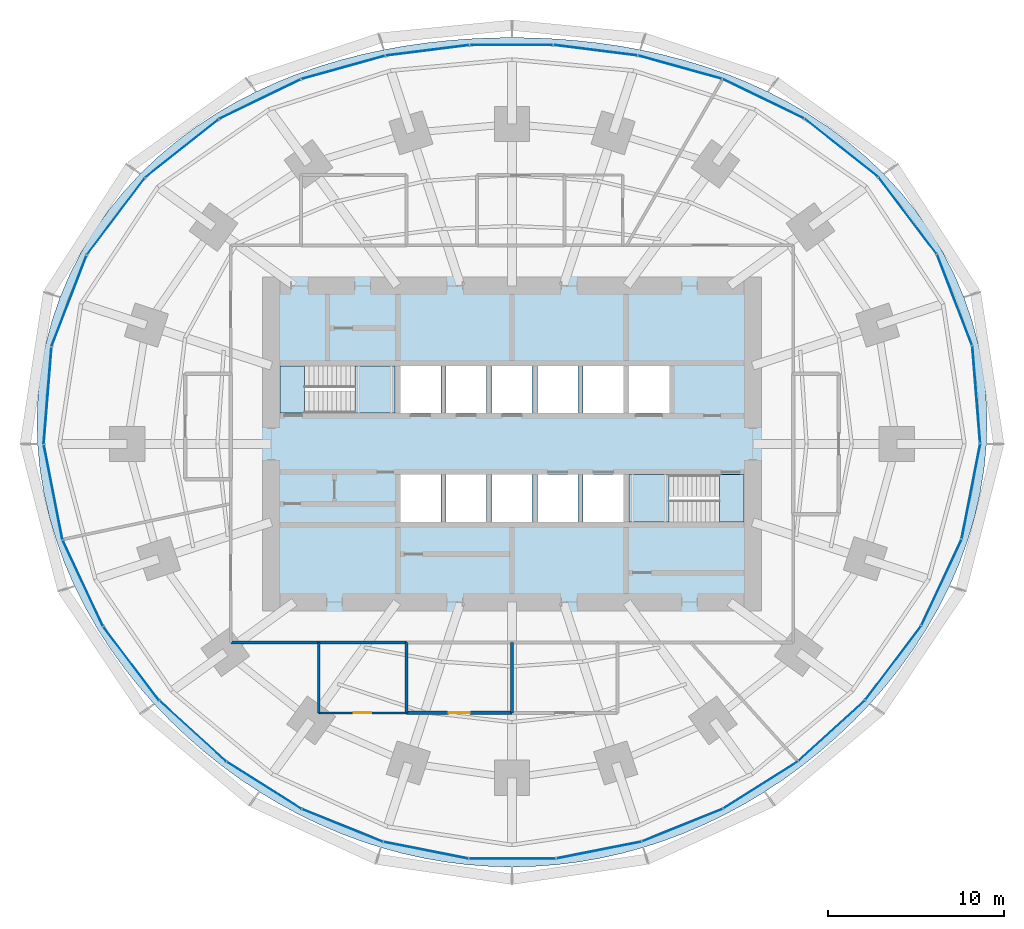
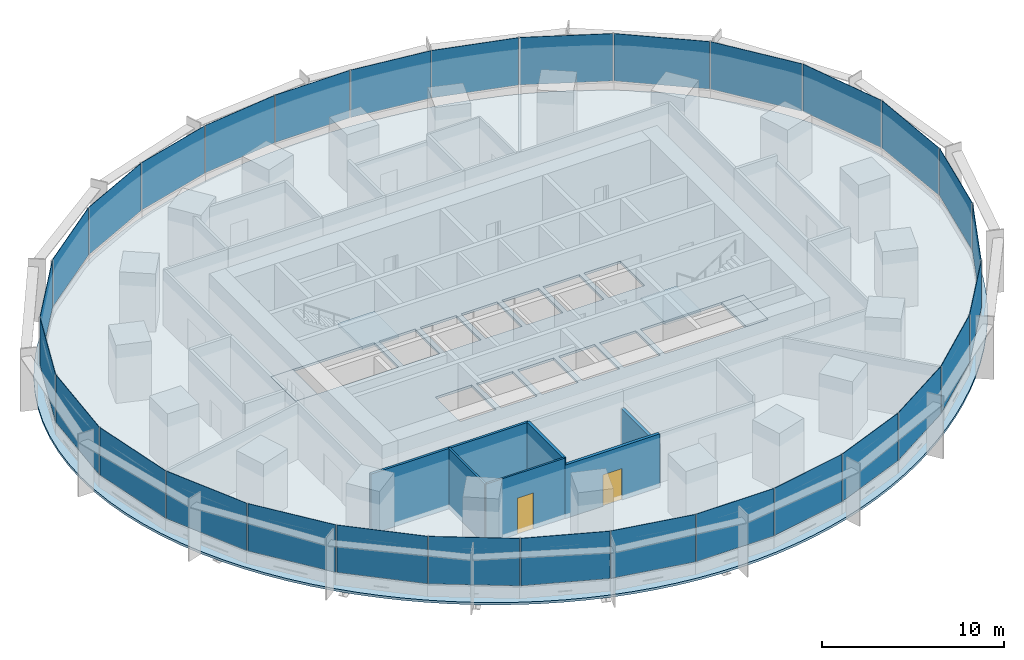
# One storey, part 10 of 15: 30 plates, 6 walls, 5 slabs, 2 doors, 2 openings, 8 elements without a shape of their own.
"""IFC4 building model written with IfcOpenShell, lengths in metres."""

from ifc_helpers import new_model, si_unit, direction, frame, frame_2d, origin, origin_2d, place, context, subcontext, project, spatial, polyline, rectangle, outline, extrude, material, layer, layer_set, type_object, element, fill, aggregate, save


model = new_model("IFC4")

# Units and contexts
model_context = context("Model", 3, precision=1e-05, world=origin(), true_north=direction((0.0, 1.0)))
body_context = subcontext(model_context, "Body", "Model", "MODEL_VIEW")
ifc_project = project(units=[si_unit("LENGTHUNIT", "METRE"), si_unit("AREAUNIT", "SQUARE_METRE"), si_unit("VOLUMEUNIT", "CUBIC_METRE"), si_unit("PLANEANGLEUNIT", "RADIAN"), si_unit("MASSUNIT", "GRAM", prefix="KILO")], contexts=[model_context])

# Site, building, storey
site_placement = place(None, origin())
site = spatial("IfcSite", under=ifc_project, at=site_placement, CompositionType="ELEMENT")
building_placement = place(site_placement, origin())
building = spatial("IfcBuilding", under=site, at=building_placement, Name="Marramba Exchange Tower", CompositionType="ELEMENT")
storey_placement = place(building_placement, frame((0.0, 0.0, 53.199951171875)))
storey = spatial("IfcBuildingStorey", under=building, at=storey_placement, Name="L12", CompositionType="ELEMENT", Elevation=53.199951171875)

# Slab
ifc_material_1 = material(Name="Concrete N40", Category="concrete")
ifc_layer_1 = layer(ifc_material_1, 0.159912109375)
ifc_layer_set_1 = layer_set([ifc_layer_1], Name="Composite floor slab 160")
slab_type_1 = type_object("IfcSlabType", Name="Composite floor slab 160", PredefinedType="FLOOR", material=ifc_layer_set_1)
slab_1_placement = place(storey_placement, frame((0.0, 0.0, -0.159912109375)))
element("IfcSlab", 1, at=slab_1_placement, inside=storey, type_object=slab_type_1, Name="Floor slab L12", PredefinedType="FLOOR", context=body_context, shape_type="SweptSolid", body=[
    extrude(outline(polyline([(27.0, 0.0), (27.035888671875, 1.4169921875), (26.97265625, 2.8349609375), (26.80859375, 4.24609375), (26.5439453125, 5.64208984375), (26.179443359375, 7.0146484375), (25.717529296875, 8.356201171875), (25.16162109375, 9.65869140625), (24.516357421875, 10.915283203125), (23.786865234375, 12.1201171875), (22.9794921875, 13.267333984375), (22.10107421875, 14.3525390625), (21.158447265625, 15.37255859375), (20.159423828125, 16.32470703125), (19.11083984375, 17.20751953125), (18.020263671875, 18.020263671875), (16.89453125, 18.763427734375), (15.740478515625, 19.437744140625), (14.563720703125, 20.04541015625), (13.3701171875, 20.588134765625), (12.164306640625, 21.069091796875), (10.9501953125, 21.4912109375), (9.7314453125, 21.857421875), (8.5107421875, 22.1708984375), (7.289794921875, 22.435302734375), (6.06982421875, 22.6533203125), (4.85205078125, 22.827392578125), (3.636474609375, 22.96044921875), (2.423095703125, 23.053955078125), (1.211181640625, 23.109619140625), (0.0, 23.1279296875), (-1.211181640625, 23.109619140625), (-2.423095703125, 23.053955078125), (-3.636474609375, 22.96044921875), (-4.85205078125, 22.827392578125), (-6.06982421875, 22.6533203125), (-7.289794921875, 22.435302734375), (-8.5107421875, 22.1708984375), (-9.7314453125, 21.857421875), (-10.9501953125, 21.4912109375), (-12.164306640625, 21.069091796875), (-13.3701171875, 20.588134765625), (-14.563720703125, 20.04541015625), (-15.740478515625, 19.437744140625), (-16.89453125, 18.763427734375), (-18.020263671875, 18.020263671875), (-19.11083984375, 17.20751953125), (-20.159423828125, 16.32470703125), (-21.158447265625, 15.37255859375), (-22.10107421875, 14.3525390625), (-22.9794921875, 13.267333984375), (-23.786865234375, 12.1201171875), (-24.516357421875, 10.915283203125), (-25.16162109375, 9.65869140625), (-25.717529296875, 8.356201171875), (-26.179443359375, 7.0146484375), (-26.5439453125, 5.64208984375), (-26.80859375, 4.24609375), (-26.97265625, 2.8349609375), (-27.035888671875, 1.4169921875), (-27.0, 0.0), (-26.8671875, -1.407958984375), (-26.64111328125, -2.800048828125), (-26.326171875, -4.169677734375), (-25.927001953125, -5.510986328125), (-25.44921875, -6.819091796875), (-24.8984375, -8.090087890625), (-24.280517578125, -9.320556640625), (-23.60107421875, -10.5078125), (-22.865234375, -11.650390625), (-22.078369140625, -12.7470703125), (-21.244873046875, -13.796630859375), (-20.36865234375, -14.798583984375), (-19.453369140625, -15.753173828125), (-18.502197265625, -16.659423828125), (-17.517578125, -17.517578125), (-16.501953125, -18.327392578125), (-15.457275390625, -19.088134765625), (-14.385009765625, -19.799072265625), (-13.286865234375, -20.459716796875), (-12.164306640625, -21.069091796875), (-11.01904296875, -21.6259765625), (-9.8525390625, -22.129150390625), (-8.66650390625, -22.577392578125), (-7.463134765625, -22.968994140625), (-6.244140625, -23.30322265625), (-5.01171875, -23.578369140625), (-3.7685546875, -23.793701171875), (-2.51708984375, -23.947998046875), (-1.260009765625, -24.041015625), (0.0, -24.072021484375), (1.260009765625, -24.041015625), (2.51708984375, -23.947998046875), (3.7685546875, -23.793701171875), (5.01171875, -23.578369140625), (6.244140625, -23.30322265625), (7.463134765625, -22.968994140625), (8.66650390625, -22.577392578125), (9.8525390625, -22.129150390625), (11.01904296875, -21.6259765625), (12.164306640625, -21.069091796875), (13.286865234375, -20.459716796875), (14.385009765625, -19.799072265625), (15.457275390625, -19.088134765625), (16.501953125, -18.327392578125), (17.517578125, -17.517578125), (18.502197265625, -16.659423828125), (19.453369140625, -15.753173828125), (20.36865234375, -14.798583984375), (21.244873046875, -13.796630859375), (22.078369140625, -12.7470703125), (22.865234375, -11.650390625), (23.60107421875, -10.5078125), (24.280517578125, -9.320556640625), (24.8984375, -8.090087890625), (25.44921875, -6.819091796875), (25.927001953125, -5.510986328125), (26.326171875, -4.169677734375), (26.64111328125, -2.800048828125), (26.8671875, -1.407958984375), (27.0, 0.0)]), holes=[polyline([(-6.35009765625, 1.75), (-4.050048828125, 1.75), (-4.050048828125, 4.449951171875), (-6.35009765625, 4.449951171875), (-6.35009765625, 1.75)]), polyline([(-3.75, 1.75), (-1.449951171875, 1.75), (-1.449951171875, 4.449951171875), (-3.75, 4.449951171875), (-3.75, 1.75)]), polyline([(-1.14990234375, 1.75), (1.14990234375, 1.75), (1.14990234375, 4.449951171875), (-1.14990234375, 4.449951171875), (-1.14990234375, 1.75)]), polyline([(1.449951171875, 1.75), (3.75, 1.75), (3.75, 4.449951171875), (1.449951171875, 4.449951171875), (1.449951171875, 1.75)]), polyline([(4.050048828125, 1.75), (6.35009765625, 1.75), (6.35009765625, 4.449951171875), (4.050048828125, 4.449951171875), (4.050048828125, 1.75)]), polyline([(-6.35009765625, -4.449951171875), (-4.050048828125, -4.449951171875), (-4.050048828125, -1.75), (-6.35009765625, -1.75), (-6.35009765625, -4.449951171875)]), polyline([(-3.75, -4.449951171875), (-1.449951171875, -4.449951171875), (-1.449951171875, -1.75), (-3.75, -1.75), (-3.75, -4.449951171875)]), polyline([(-1.14990234375, -4.449951171875), (1.14990234375, -4.449951171875), (1.14990234375, -1.75), (-1.14990234375, -1.75), (-1.14990234375, -4.449951171875)]), polyline([(1.449951171875, -4.449951171875), (3.75, -4.449951171875), (3.75, -1.75), (1.449951171875, -1.75), (1.449951171875, -4.449951171875)]), polyline([(4.050048828125, -4.449951171875), (6.35009765625, -4.449951171875), (6.35009765625, -1.75), (4.050048828125, -1.75), (4.050048828125, -4.449951171875)]), polyline([(6.64990234375, 1.75), (8.949951171875, 1.75), (8.949951171875, 4.449951171875), (6.64990234375, 4.449951171875), (6.64990234375, 1.75)]), polyline([(-13.199951171875, 1.75), (-6.64990234375, 1.75), (-6.64990234375, 4.449951171875), (-13.199951171875, 4.449951171875), (-13.199951171875, 1.75)]), polyline([(6.64990234375, -4.449951171875), (13.199951171875, -4.449951171875), (13.199951171875, -1.75), (6.64990234375, -1.75), (6.64990234375, -4.449951171875)])]), origin(), (0.0, 0.0, 1.0), 0.159912109375),
])

# Stair, slabs
ifc_material_2 = material(Name="Concrete N40 (40 MPa)", Category="concrete")
stair_type_1 = type_object("IfcStairType", Name="Exit stair ST1 4200 x 1250", PredefinedType="HALF_TURN_STAIR", material=ifc_material_2)
stair_1_placement = place(storey_placement, origin())
stair_1 = element("IfcStair", 2, at=stair_1_placement, inside=storey, type_object=stair_type_1, Name="Exit stair ST1 L12", PredefinedType="HALF_TURN_STAIR")
ifc_layer_2 = layer(ifc_material_2, 0.199951171875)
ifc_layer_set_2 = layer_set([ifc_layer_2], Name="Stair landing 200")
slab_type_2 = type_object("IfcSlabType", Name="Stair landing 200", PredefinedType="LANDING", material=ifc_layer_set_2)
slab_2_placement = place(storey_placement, frame((0.0, 0.0, -0.199951171875)))
slab_2 = element("IfcSlab", 3, at=slab_2_placement, type_object=slab_type_2, Name="ST1 landing 1", PredefinedType="LANDING", context=body_context, shape_type="SweptSolid", body=[
    extrude(outline(polyline([(-13.199951171875, 1.75), (-11.800048828125, 1.75), (-11.800048828125, 4.449951171875), (-13.199951171875, 4.449951171875), (-13.199951171875, 1.75)])), origin(), (0.0, 0.0, 1.0), 0.199951171875),
])
slab_3_placement = place(storey_placement, frame((0.0, 0.0, 1.900146484375)))
slab_3 = element("IfcSlab", 4, at=slab_3_placement, type_object=slab_type_2, Name="ST1 landing 2", PredefinedType="LANDING", context=body_context, shape_type="SweptSolid", body=[
    extrude(outline(polyline([(-8.93994140625, 1.75), (-6.64990234375, 1.75), (-6.64990234375, 4.449951171875), (-8.93994140625, 4.449951171875), (-8.93994140625, 1.75)])), origin(), (0.0, 0.0, 1.0), 0.199951171875),
])
aggregate(stair_1, [slab_2, slab_3])

stair_type_2 = type_object("IfcStairType", Name="Exit stair ST2 4200 x 1250", PredefinedType="HALF_TURN_STAIR", material=ifc_material_2)
stair_2_placement = place(storey_placement, origin())
stair_2 = element("IfcStair", 5, at=stair_2_placement, inside=storey, type_object=stair_type_2, Name="Exit stair ST2 L12", PredefinedType="HALF_TURN_STAIR")
slab_4_placement = place(storey_placement, frame((0.0, 0.0, -0.199951171875)))
slab_4 = element("IfcSlab", 6, at=slab_4_placement, type_object=slab_type_2, Name="ST2 landing 1", PredefinedType="LANDING", context=body_context, shape_type="SweptSolid", body=[
    extrude(outline(polyline([(11.800048828125, -4.449951171875), (13.199951171875, -4.449951171875), (13.199951171875, -1.75), (11.800048828125, -1.75), (11.800048828125, -4.449951171875)])), origin(), (0.0, 0.0, 1.0), 0.199951171875),
])
slab_5_placement = place(storey_placement, frame((0.0, 0.0, 1.900146484375)))
slab_5 = element("IfcSlab", 7, at=slab_5_placement, type_object=slab_type_2, Name="ST2 landing 2", PredefinedType="LANDING", context=body_context, shape_type="SweptSolid", body=[
    extrude(outline(polyline([(6.64990234375, -4.449951171875), (8.93994140625, -4.449951171875), (8.93994140625, -1.75), (6.64990234375, -1.75), (6.64990234375, -4.449951171875)])), origin(), (0.0, 0.0, 1.0), 0.199951171875),
])
aggregate(stair_2, [slab_4, slab_5])

# Curtain wall, plates
ifc_material_3 = material(Name="Aluminium framing, bronze anodised", Category="aluminium")
curtain_wall_type = type_object("IfcCurtainWallType", Name="Trading floor ribbon curtain wall", PredefinedType="USERDEFINED", material=ifc_material_3)
curtain_wall_1_placement = place(storey_placement, origin())
curtain_wall_1 = element("IfcCurtainWall", 8, at=curtain_wall_1_placement, inside=storey, type_object=curtain_wall_type, Name="Curtain wall CW3 L12 F01-F05", ObjectType="RIBBON CURTAIN WALL", PredefinedType="USERDEFINED")
ifc_material_4 = material(Name="Double glazed unit 10 + 12 + 8.76, bronze tinted", Category="glass")
ifc_layer_3 = layer(ifc_material_4, 0.03076171875)
ifc_layer_set_3 = layer_set([ifc_layer_3], Name="Trading floor ribbon curtain wall panel")
plate_type = type_object("IfcPlateType", Name="Trading floor ribbon curtain wall panel", PredefinedType="CURTAIN_PANEL", material=ifc_layer_set_3)
plate_1_placement = place(storey_placement, frame((26.42333984375, 2.814453125, 0.85986328125), z_axis=(0.0, 0.0, 1.0), x_axis=(-0.080275225953, 0.996772736434, 0.0)))
plate_1 = element("IfcPlate", 9, at=plate_1_placement, type_object=plate_type, Name="CW3 vision panel", PredefinedType="CURTAIN_PANEL", context=body_context, shape_type="SweptSolid", body=[
    extrude(rectangle(XDim=5.52734375, YDim=0.03076171875, at=origin_2d()), origin(), (0.0, 0.0, 1.0), 3.179931640625),
])
plate_2_placement = place(storey_placement, frame((25.188232421875, 8.19921875, 0.85986328125), z_axis=(0.0, 0.0, 1.0), x_axis=(-0.359525510698, 0.933135256626, 0.0)))
plate_2 = element("IfcPlate", 10, at=plate_2_placement, type_object=plate_type, Name="CW3 vision panel", PredefinedType="CURTAIN_PANEL", context=body_context, shape_type="SweptSolid", body=[
    extrude(rectangle(XDim=5.5166015625, YDim=0.03076171875, at=origin_2d()), origin(), (0.0, 0.0, 1.0), 3.179931640625),
])
plate_3_placement = place(storey_placement, frame((22.517822265625, 12.993896484375, 0.85986328125), z_axis=(0.0, 0.0, 1.0), x_axis=(-0.602989765036, 0.797748922445, 0.0)))
plate_3 = element("IfcPlate", 11, at=plate_3_placement, type_object=plate_type, Name="CW3 vision panel", PredefinedType="CURTAIN_PANEL", context=body_context, shape_type="SweptSolid", body=[
    extrude(rectangle(XDim=5.44775390625, YDim=0.03076171875, at=origin_2d()), origin(), (0.0, 0.0, 1.0), 3.179931640625),
])
plate_4_placement = place(storey_placement, frame((18.744384765625, 16.853759765625, 0.85986328125), z_axis=(0.0, 0.0, 1.0), x_axis=(-0.784087949432, 0.620649730166, 0.0)))
plate_4 = element("IfcPlate", 12, at=plate_4_placement, type_object=plate_type, Name="CW3 vision panel", PredefinedType="CURTAIN_PANEL", context=body_context, shape_type="SweptSolid", body=[
    extrude(rectangle(XDim=5.315673828125, YDim=0.03076171875, at=origin_2d()), origin(), (0.0, 0.0, 1.0), 3.179931640625),
])
plate_5_placement = place(storey_placement, frame((14.2978515625, 19.647705078125, 0.85986328125), z_axis=(0.0, 0.0, 1.0), x_axis=(-0.899963433508, 0.43596538664, 0.0)))
plate_5 = element("IfcPlate", 13, at=plate_5_placement, type_object=plate_type, Name="CW3 vision panel", PredefinedType="CURTAIN_PANEL", context=body_context, shape_type="SweptSolid", body=[
    extrude(rectangle(XDim=5.13037109375, YDim=0.03076171875, at=origin_2d()), origin(), (0.0, 0.0, 1.0), 3.179931640625),
])
aggregate(curtain_wall_1, [plate_1, plate_2, plate_3, plate_4, plate_5])

curtain_wall_2_placement = place(storey_placement, origin())
curtain_wall_2 = element("IfcCurtainWall", 14, at=curtain_wall_2_placement, inside=storey, type_object=curtain_wall_type, Name="Curtain wall CW3 L12 F06-F10", ObjectType="RIBBON CURTAIN WALL", PredefinedType="USERDEFINED")
plate_6_placement = place(storey_placement, frame((9.556396484375, 21.4423828125, 0.85986328125), z_axis=(0.0, 0.0, 1.0), x_axis=(-0.963472096649, 0.267808735815, 0.0)))
plate_6 = element("IfcPlate", 15, at=plate_6_placement, type_object=plate_type, Name="CW3 vision panel", PredefinedType="CURTAIN_PANEL", context=body_context, shape_type="SweptSolid", body=[
    extrude(rectangle(XDim=4.929931640625, YDim=0.03076171875, at=origin_2d()), origin(), (0.0, 0.0, 1.0), 3.179931640625),
])
plate_7_placement = place(storey_placement, frame((4.754150390625, 22.407958984375, 0.85986328125), z_axis=(0.0, 0.0, 1.0), x_axis=(-0.992172768738, 0.124872723099, 0.0)))
plate_7 = element("IfcPlate", 16, at=plate_7_placement, type_object=plate_type, Name="CW3 vision panel", PredefinedType="CURTAIN_PANEL", context=body_context, shape_type="SweptSolid", body=[
    extrude(rectangle(XDim=4.77294921875, YDim=0.03076171875, at=origin_2d()), origin(), (0.0, 0.0, 1.0), 3.179931640625),
])
plate_8_placement = place(storey_placement, frame((-0.030029296875, 22.7060546875, 0.85986328125), z_axis=(0.0, 0.0, 1.0), x_axis=(-1.0, 0.0, 0.0)))
plate_8 = element("IfcPlate", 17, at=plate_8_placement, type_object=plate_type, Name="CW3 vision panel", PredefinedType="CURTAIN_PANEL", context=body_context, shape_type="SweptSolid", body=[
    extrude(rectangle(XDim=4.712890625, YDim=0.03076171875, at=origin_2d()), origin(), (0.0, 0.0, 1.0), 3.179931640625),
])
plate_9_placement = place(storey_placement, frame((-4.813720703125, 22.400390625, 0.85986328125), z_axis=(0.0, 0.0, 1.0), x_axis=(-0.992172768738, -0.124872723099, 0.0)))
plate_9 = element("IfcPlate", 18, at=plate_9_placement, type_object=plate_type, Name="CW3 vision panel", PredefinedType="CURTAIN_PANEL", context=body_context, shape_type="SweptSolid", body=[
    extrude(rectangle(XDim=4.77294921875, YDim=0.03076171875, at=origin_2d()), origin(), (0.0, 0.0, 1.0), 3.179931640625),
])
plate_10_placement = place(storey_placement, frame((-9.6142578125, 21.42626953125, 0.85986328125), z_axis=(0.0, 0.0, 1.0), x_axis=(-0.963472096649, -0.267808735815, 0.0)))
plate_10 = element("IfcPlate", 19, at=plate_10_placement, type_object=plate_type, Name="CW3 vision panel", PredefinedType="CURTAIN_PANEL", context=body_context, shape_type="SweptSolid", body=[
    extrude(rectangle(XDim=4.929931640625, YDim=0.03076171875, at=origin_2d()), origin(), (0.0, 0.0, 1.0), 3.179931640625),
])
aggregate(curtain_wall_2, [plate_6, plate_7, plate_8, plate_9, plate_10])

curtain_wall_3_placement = place(storey_placement, origin())
curtain_wall_3 = element("IfcCurtainWall", 20, at=curtain_wall_3_placement, inside=storey, type_object=curtain_wall_type, Name="Curtain wall CW3 L12 F11-F15", ObjectType="RIBBON CURTAIN WALL", PredefinedType="USERDEFINED")
plate_11_placement = place(storey_placement, frame((-14.351806640625, 19.62158203125, 0.85986328125), z_axis=(0.0, 0.0, 1.0), x_axis=(-0.899963433508, -0.43596538664, 0.0)))
plate_11 = element("IfcPlate", 21, at=plate_11_placement, type_object=plate_type, Name="CW3 vision panel", PredefinedType="CURTAIN_PANEL", context=body_context, shape_type="SweptSolid", body=[
    extrude(rectangle(XDim=5.13037109375, YDim=0.03076171875, at=origin_2d()), origin(), (0.0, 0.0, 1.0), 3.179931640625),
])
plate_12_placement = place(storey_placement, frame((-18.79150390625, 16.81640625, 0.85986328125), z_axis=(0.0, 0.0, 1.0), x_axis=(-0.784087949432, -0.620649730166, 0.0)))
plate_12 = element("IfcPlate", 22, at=plate_12_placement, type_object=plate_type, Name="CW3 vision panel", PredefinedType="CURTAIN_PANEL", context=body_context, shape_type="SweptSolid", body=[
    extrude(rectangle(XDim=5.315673828125, YDim=0.03076171875, at=origin_2d()), origin(), (0.0, 0.0, 1.0), 3.179931640625),
])
plate_13_placement = place(storey_placement, frame((-22.553955078125, 12.946044921875, 0.85986328125), z_axis=(0.0, 0.0, 1.0), x_axis=(-0.602989765036, -0.797748922445, 0.0)))
plate_13 = element("IfcPlate", 23, at=plate_13_placement, type_object=plate_type, Name="CW3 vision panel", PredefinedType="CURTAIN_PANEL", context=body_context, shape_type="SweptSolid", body=[
    extrude(rectangle(XDim=5.44775390625, YDim=0.03076171875, at=origin_2d()), origin(), (0.0, 0.0, 1.0), 3.179931640625),
])
plate_14_placement = place(storey_placement, frame((-25.209716796875, 8.14306640625, 0.85986328125), z_axis=(0.0, 0.0, 1.0), x_axis=(-0.359525510698, -0.933135256626, 0.0)))
plate_14 = element("IfcPlate", 24, at=plate_14_placement, type_object=plate_type, Name="CW3 vision panel", PredefinedType="CURTAIN_PANEL", context=body_context, shape_type="SweptSolid", body=[
    extrude(rectangle(XDim=5.5166015625, YDim=0.03076171875, at=origin_2d()), origin(), (0.0, 0.0, 1.0), 3.179931640625),
])
plate_15_placement = place(storey_placement, frame((-26.42822265625, 2.754638671875, 0.85986328125), z_axis=(0.0, 0.0, 1.0), x_axis=(-0.080275225953, -0.996772736434, 0.0)))
plate_15 = element("IfcPlate", 25, at=plate_15_placement, type_object=plate_type, Name="CW3 vision panel", PredefinedType="CURTAIN_PANEL", context=body_context, shape_type="SweptSolid", body=[
    extrude(rectangle(XDim=5.52734375, YDim=0.03076171875, at=origin_2d()), origin(), (0.0, 0.0, 1.0), 3.179931640625),
])
aggregate(curtain_wall_3, [plate_11, plate_12, plate_13, plate_14, plate_15])

curtain_wall_4_placement = place(storey_placement, origin())
curtain_wall_4 = element("IfcCurtainWall", 26, at=curtain_wall_4_placement, inside=storey, type_object=curtain_wall_type, Name="Curtain wall CW3 L12 F16-F20", ObjectType="RIBBON CURTAIN WALL", PredefinedType="USERDEFINED")
plate_16_placement = place(storey_placement, frame((-26.111572265625, -2.74853515625, 0.85986328125), z_axis=(0.0, 0.0, 1.0), x_axis=(0.1922485756, -0.981346261612, 0.0)))
plate_16 = element("IfcPlate", 27, at=plate_16_placement, type_object=plate_type, Name="CW3 vision panel", PredefinedType="CURTAIN_PANEL", context=body_context, shape_type="SweptSolid", body=[
    extrude(rectangle(XDim=5.4814453125, YDim=0.03076171875, at=origin_2d()), origin(), (0.0, 0.0, 1.0), 3.179931640625),
])
plate_17_placement = place(storey_placement, frame((-24.420166015625, -7.928955078125, 0.85986328125), z_axis=(0.0, 0.0, 1.0), x_axis=(0.423477206492, -0.905906758768, 0.0)))
plate_17 = element("IfcPlate", 28, at=plate_17_placement, type_object=plate_type, Name="CW3 vision panel", PredefinedType="CURTAIN_PANEL", context=body_context, shape_type="SweptSolid", body=[
    extrude(rectangle(XDim=5.379150390625, YDim=0.03076171875, at=origin_2d()), origin(), (0.0, 0.0, 1.0), 3.179931640625),
])
plate_18_placement = place(storey_placement, frame((-21.665283203125, -12.503173828125, 0.85986328125), z_axis=(0.0, 0.0, 1.0), x_axis=(0.603040473588, -0.797710591138, 0.0)))
plate_18 = element("IfcPlate", 29, at=plate_18_placement, type_object=plate_type, Name="CW3 vision panel", PredefinedType="CURTAIN_PANEL", context=body_context, shape_type="SweptSolid", body=[
    extrude(rectangle(XDim=5.239501953125, YDim=0.03076171875, at=origin_2d()), origin(), (0.0, 0.0, 1.0), 3.179931640625),
])
plate_19_placement = place(storey_placement, frame((-18.154541015625, -16.350341796875, 0.85986328125), z_axis=(0.0, 0.0, 1.0), x_axis=(0.739589581463, -0.673058133441, 0.0)))
plate_19 = element("IfcPlate", 30, at=plate_19_placement, type_object=plate_type, Name="CW3 vision panel", PredefinedType="CURTAIN_PANEL", context=body_context, shape_type="SweptSolid", body=[
    extrude(rectangle(XDim=5.101806640625, YDim=0.03076171875, at=origin_2d()), origin(), (0.0, 0.0, 1.0), 3.179931640625),
])
plate_20_placement = place(storey_placement, frame((-14.103271484375, -19.4326171875, 0.85986328125), z_axis=(0.0, 0.0, 1.0), x_axis=(0.845790826298, -0.533514646612, 0.0)))
plate_20 = element("IfcPlate", 31, at=plate_20_placement, type_object=plate_type, Name="CW3 vision panel", PredefinedType="CURTAIN_PANEL", context=body_context, shape_type="SweptSolid", body=[
    extrude(rectangle(XDim=4.99853515625, YDim=0.03076171875, at=origin_2d()), origin(), (0.0, 0.0, 1.0), 3.179931640625),
])
aggregate(curtain_wall_4, [plate_16, plate_17, plate_18, plate_19, plate_20])

curtain_wall_5_placement = place(storey_placement, origin())
curtain_wall_5 = element("IfcCurtainWall", 32, at=curtain_wall_5_placement, inside=storey, type_object=curtain_wall_type, Name="Curtain wall CW3 L12 F21-F25", ObjectType="RIBBON CURTAIN WALL", PredefinedType="USERDEFINED")
plate_21_placement = place(storey_placement, frame((-9.644287109375, -21.71240234375, 0.85986328125), z_axis=(0.0, 0.0, 1.0), x_axis=(0.927340673283, -0.374218219325, 0.0)))
plate_21 = element("IfcPlate", 33, at=plate_21_placement, type_object=plate_type, Name="CW3 vision panel", PredefinedType="CURTAIN_PANEL", context=body_context, shape_type="SweptSolid", body=[
    extrude(rectangle(XDim=4.9375, YDim=0.03076171875, at=origin_2d()), origin(), (0.0, 0.0, 1.0), 3.179931640625),
])
plate_22_placement = place(storey_placement, frame((-4.88818359375, -23.1240234375, 0.85986328125), z_axis=(0.0, 0.0, 1.0), x_axis=(0.98100920064, -0.193961202977, 0.0)))
plate_22 = element("IfcPlate", 34, at=plate_22_placement, type_object=plate_type, Name="CW3 vision panel", PredefinedType="CURTAIN_PANEL", context=body_context, shape_type="SweptSolid", body=[
    extrude(rectangle(XDim=4.908935546875, YDim=0.03076171875, at=origin_2d()), origin(), (0.0, 0.0, 1.0), 3.179931640625),
])
plate_23_placement = place(storey_placement, frame((0.030029296875, -23.599853515625, 0.85986328125), z_axis=(0.0, 0.0, 1.0), x_axis=(1.0, 0.0, 0.0)))
plate_23 = element("IfcPlate", 35, at=plate_23_placement, type_object=plate_type, Name="CW3 vision panel", PredefinedType="CURTAIN_PANEL", context=body_context, shape_type="SweptSolid", body=[
    extrude(rectangle(XDim=4.90087890625, YDim=0.03076171875, at=origin_2d()), origin(), (0.0, 0.0, 1.0), 3.179931640625),
])
plate_24_placement = place(storey_placement, frame((4.947021484375, -23.1123046875, 0.85986328125), z_axis=(0.0, 0.0, 1.0), x_axis=(0.98100920064, 0.193961202977, 0.0)))
plate_24 = element("IfcPlate", 36, at=plate_24_placement, type_object=plate_type, Name="CW3 vision panel", PredefinedType="CURTAIN_PANEL", context=body_context, shape_type="SweptSolid", body=[
    extrude(rectangle(XDim=4.908935546875, YDim=0.03076171875, at=origin_2d()), origin(), (0.0, 0.0, 1.0), 3.179931640625),
])
plate_25_placement = place(storey_placement, frame((9.699951171875, -21.68994140625, 0.85986328125), z_axis=(0.0, 0.0, 1.0), x_axis=(0.927340673283, 0.374218219325, 0.0)))
plate_25 = element("IfcPlate", 37, at=plate_25_placement, type_object=plate_type, Name="CW3 vision panel", PredefinedType="CURTAIN_PANEL", context=body_context, shape_type="SweptSolid", body=[
    extrude(rectangle(XDim=4.9375, YDim=0.03076171875, at=origin_2d()), origin(), (0.0, 0.0, 1.0), 3.179931640625),
])
aggregate(curtain_wall_5, [plate_21, plate_22, plate_23, plate_24, plate_25])

curtain_wall_6_placement = place(storey_placement, origin())
curtain_wall_6 = element("IfcCurtainWall", 38, at=curtain_wall_6_placement, inside=storey, type_object=curtain_wall_type, Name="Curtain wall CW3 L12 F26-F30", ObjectType="RIBBON CURTAIN WALL", PredefinedType="USERDEFINED")
plate_26_placement = place(storey_placement, frame((14.15380859375, -19.400634765625, 0.85986328125), z_axis=(0.0, 0.0, 1.0), x_axis=(0.845790826298, 0.533514646612, 0.0)))
plate_26 = element("IfcPlate", 39, at=plate_26_placement, type_object=plate_type, Name="CW3 vision panel", PredefinedType="CURTAIN_PANEL", context=body_context, shape_type="SweptSolid", body=[
    extrude(rectangle(XDim=4.99853515625, YDim=0.03076171875, at=origin_2d()), origin(), (0.0, 0.0, 1.0), 3.179931640625),
])
plate_27_placement = place(storey_placement, frame((18.19873046875, -16.309814453125, 0.85986328125), z_axis=(0.0, 0.0, 1.0), x_axis=(0.739589581463, 0.673058133441, 0.0)))
plate_27 = element("IfcPlate", 40, at=plate_27_placement, type_object=plate_type, Name="CW3 vision panel", PredefinedType="CURTAIN_PANEL", context=body_context, shape_type="SweptSolid", body=[
    extrude(rectangle(XDim=5.101806640625, YDim=0.03076171875, at=origin_2d()), origin(), (0.0, 0.0, 1.0), 3.179931640625),
])
plate_28_placement = place(storey_placement, frame((21.701416015625, -12.455322265625, 0.85986328125), z_axis=(0.0, 0.0, 1.0), x_axis=(0.603040473588, 0.797710591138, 0.0)))
plate_28 = element("IfcPlate", 41, at=plate_28_placement, type_object=plate_type, Name="CW3 vision panel", PredefinedType="CURTAIN_PANEL", context=body_context, shape_type="SweptSolid", body=[
    extrude(rectangle(XDim=5.239501953125, YDim=0.03076171875, at=origin_2d()), origin(), (0.0, 0.0, 1.0), 3.179931640625),
])
plate_29_placement = place(storey_placement, frame((24.44580078125, -7.874755859375, 0.85986328125), z_axis=(0.0, 0.0, 1.0), x_axis=(0.423477206492, 0.905906758768, 0.0)))
plate_29 = element("IfcPlate", 42, at=plate_29_placement, type_object=plate_type, Name="CW3 vision panel", PredefinedType="CURTAIN_PANEL", context=body_context, shape_type="SweptSolid", body=[
    extrude(rectangle(XDim=5.379150390625, YDim=0.03076171875, at=origin_2d()), origin(), (0.0, 0.0, 1.0), 3.179931640625),
])
plate_30_placement = place(storey_placement, frame((26.123046875, -2.689697265625, 0.85986328125), z_axis=(0.0, 0.0, 1.0), x_axis=(0.1922485756, 0.981346261612, 0.0)))
plate_30 = element("IfcPlate", 43, at=plate_30_placement, type_object=plate_type, Name="CW3 vision panel", PredefinedType="CURTAIN_PANEL", context=body_context, shape_type="SweptSolid", body=[
    extrude(rectangle(XDim=5.4814453125, YDim=0.03076171875, at=origin_2d()), origin(), (0.0, 0.0, 1.0), 3.179931640625),
])
aggregate(curtain_wall_6, [plate_26, plate_27, plate_28, plate_29, plate_30])

# Wall
ifc_material_5 = material(Name="Core-filled concrete blockwork, rendered", Category="masonry")
ifc_layer_4 = layer(ifc_material_5, 0.18994140625)
ifc_layer_set_4 = layer_set([ifc_layer_4], Name="Equipment room wall 190")
wall_type_1 = type_object("IfcWallType", Name="Equipment room wall 190", PredefinedType="SOLIDWALL", material=ifc_layer_set_4)
wall_1_placement = place(storey_placement, frame((-6.0, -15.300048828125, 0.0), z_axis=(0.0, 0.0, 1.0), x_axis=(0.0, 1.0, 0.0)))
element("IfcWall", 44, at=wall_1_placement, inside=storey, type_object=wall_type_1, Name="Equipment room wall L12 07", PredefinedType="SOLIDWALL", context=body_context, shape_type="SweptSolid", body=[
    extrude(rectangle(XDim=4.0, YDim=0.18994140625, at=frame_2d((2.0, 0.0))), origin(), (0.0, 0.0, 1.0), 4.0400390625),
])

# Wall, opening, door
wall_2_placement = place(storey_placement, frame((-6.0, -15.300048828125, 0.0), z_axis=(0.0, 0.0, 1.0), x_axis=(1.0, 0.0, 0.0)))
wall_2 = element("IfcWall", 45, at=wall_2_placement, inside=storey, type_object=wall_type_1, Name="Equipment room wall L12 09", PredefinedType="SOLIDWALL", context=body_context, shape_type="SweptSolid", body=[
    extrude(rectangle(XDim=6.0, YDim=0.18994140625, at=frame_2d((3.0, 0.0))), origin(), (0.0, 0.0, 1.0), 3.5859375),
])
opening_1_placement = place(wall_2_placement, frame((2.39990234375, 0.0, 0.0)))
opening_1 = element("IfcOpeningElement", 46, at=opening_1_placement, cuts=wall_2, Name="Opening D16", PredefinedType="OPENING", context=body_context, shape_type="SweptSolid", body=[
    extrude(rectangle(XDim=1.199951171875, YDim=2.10009765625, at=frame_2d((0.60009765625, 1.050048828125))), frame((0.0, 0.10498046875, 0.0), z_axis=(0.0, -1.0, 0.0), x_axis=(1.0, 0.0, 0.0)), (0.0, 0.0, 1.0), 0.2099609375),
])
ifc_material_6 = material(Name="Steel-framed door", Category="steel")
door_type_1 = type_object("IfcDoorType", Name="Equipment room door 1200x2100", OperationType="SINGLE_SWING_LEFT", PredefinedType="DOOR", material=ifc_material_6)
door_1_placement = place(opening_1_placement, origin())
door_1 = element("IfcDoor", 47, at=door_1_placement, inside=storey, type_object=door_type_1, Name="D16 Data Room 3 L12", OperationType="SINGLE_SWING_RIGHT", OverallHeight=2.10009765625, OverallWidth=1.199951171875, PredefinedType="DOOR", context=body_context, shape_type="SweptSolid", body=[
    extrude(rectangle(XDim=1.199951171875, YDim=2.10009765625, at=frame_2d((0.60009765625, 1.050048828125))), frame((0.0, 0.02490234375, 0.0), z_axis=(0.0, -1.0, 0.0), x_axis=(1.0, 0.0, 0.0)), (0.0, 0.0, 1.0), 0.050048828125),
])
fill(opening_1, door_1)

# Walls
wall_3_placement = place(storey_placement, frame((0.0, -11.300048828125, 0.0), z_axis=(0.0, 0.0, 1.0), x_axis=(0.0, -1.0, 0.0)))
element("IfcWall", 48, at=wall_3_placement, inside=storey, type_object=wall_type_1, Name="Equipment room wall L12 10", PredefinedType="SOLIDWALL", context=body_context, shape_type="SweptSolid", body=[
    extrude(rectangle(XDim=4.0, YDim=0.18994140625, at=frame_2d((2.0, 0.0))), origin(), (0.0, 0.0, 1.0), 2.840087890625),
])
ifc_material_7 = material(Name="Plasterboard on steel studs", Category="steel")
ifc_layer_5 = layer(ifc_material_7, 0.1201171875)
ifc_layer_set_5 = layer_set([ifc_layer_5], Name="Partition 120")
wall_type_2 = type_object("IfcWallType", Name="Partition 120", PredefinedType="PARTITIONING", material=ifc_layer_set_5)
wall_4_placement = place(storey_placement, frame((-11.0, -11.300048828125, 0.0), z_axis=(0.0, 0.0, 1.0), x_axis=(0.0, -1.0, 0.0)))
element("IfcWall", 49, at=wall_4_placement, inside=storey, type_object=wall_type_2, Name="Partition L12 05", PredefinedType="PARTITIONING", context=body_context, shape_type="SweptSolid", body=[
    extrude(rectangle(XDim=4.0, YDim=0.1201171875, at=frame_2d((2.0, 0.0))), origin(), (0.0, 0.0, 1.0), 4.0400390625),
])

# Wall, opening, door
wall_5_placement = place(storey_placement, frame((-11.0, -15.300048828125, 0.0), z_axis=(0.0, 0.0, 1.0), x_axis=(1.0, 0.0, 0.0)))
wall_5 = element("IfcWall", 50, at=wall_5_placement, inside=storey, type_object=wall_type_2, Name="Partition L12 06", PredefinedType="PARTITIONING", context=body_context, shape_type="SweptSolid", body=[
    extrude(rectangle(XDim=5.0, YDim=0.1201171875, at=frame_2d((2.5, 0.0))), origin(), (0.0, 0.0, 1.0), 4.0400390625),
])
opening_2_placement = place(wall_5_placement, frame((2.0, 0.0, 0.0)))
opening_2 = element("IfcOpeningElement", 51, at=opening_2_placement, cuts=wall_5, Name="Opening D9", PredefinedType="OPENING", context=body_context, shape_type="SweptSolid", body=[
    extrude(rectangle(XDim=1.0, YDim=2.39990234375, at=frame_2d((0.5, 1.199951171875))), frame((0.0, 0.070068359375, 0.0), z_axis=(0.0, -1.0, 0.0), x_axis=(1.0, 0.0, 0.0)), (0.0, 0.0, 1.0), 0.14013671875),
])
ifc_material_8 = material(Name="Timber door", Category="wood")
door_type_2 = type_object("IfcDoorType", Name="Room door 1000x2400", OperationType="SINGLE_SWING_LEFT", PredefinedType="DOOR", material=ifc_material_8)
door_2_placement = place(opening_2_placement, origin())
door_2 = element("IfcDoor", 52, at=door_2_placement, inside=storey, type_object=door_type_2, Name="D9 Pantry 2 L12", OperationType="SINGLE_SWING_RIGHT", OverallHeight=2.39990234375, OverallWidth=1.0, PredefinedType="DOOR", context=body_context, shape_type="SweptSolid", body=[
    extrude(rectangle(XDim=1.0, YDim=2.39990234375, at=frame_2d((0.5, 1.199951171875))), frame((0.0, 0.02490234375, 0.0), z_axis=(0.0, -1.0, 0.0), x_axis=(1.0, 0.0, 0.0)), (0.0, 0.0, 1.0), 0.050048828125),
])
fill(opening_2, door_2)

# Wall
ifc_material_9 = material(Name="Fire-rated plasterboard on steel studs, acoustic insulation", Category="steel")
ifc_layer_6 = layer(ifc_material_9, 0.14990234375)
ifc_layer_set_6 = layer_set([ifc_layer_6], Name="Tenancy wall 150")
wall_type_3 = type_object("IfcWallType", Name="Tenancy wall 150", PredefinedType="PARTITIONING", material=ifc_layer_set_6)
wall_6_placement = place(storey_placement, frame((-16.0, -11.300048828125, 0.0), z_axis=(0.0, 0.0, 1.0), x_axis=(1.0, 0.0, 0.0)))
element("IfcWall", 53, at=wall_6_placement, inside=storey, type_object=wall_type_3, Name="Tenancy wall L12 04", PredefinedType="PARTITIONING", context=body_context, shape_type="SweptSolid", body=[
    extrude(rectangle(XDim=10.0, YDim=0.14990234375, at=frame_2d((5.0, 0.0))), origin(), (0.0, 0.0, 1.0), 4.0400390625),
])

save(model, "model.ifc")
